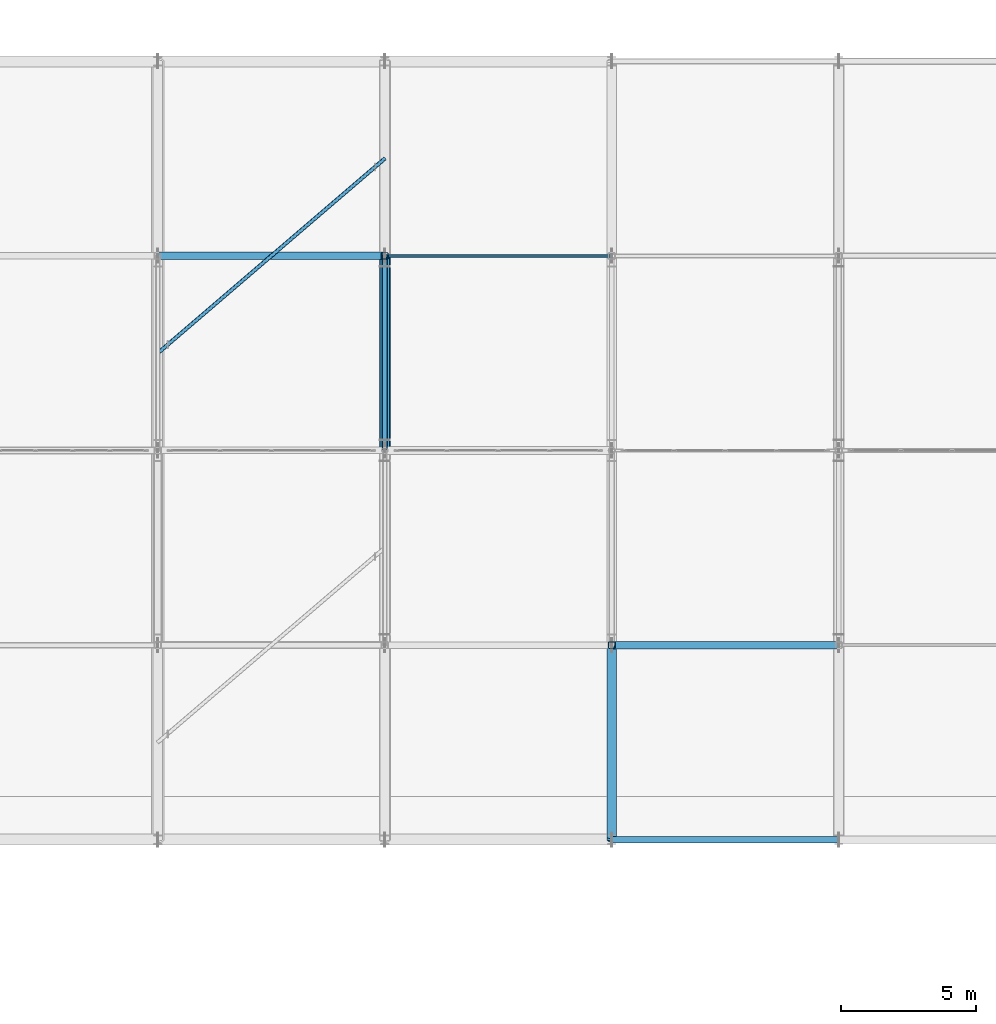
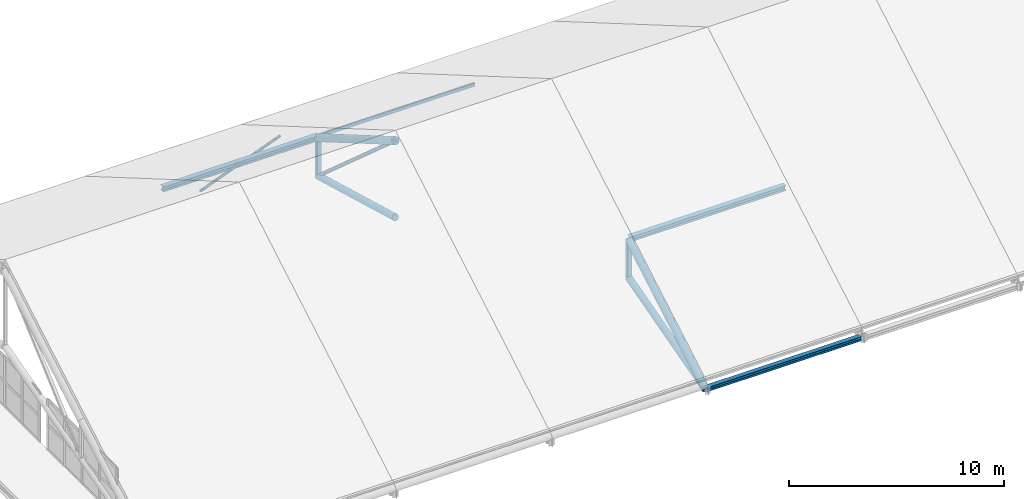
# One storey, part 11 of 54: 12 members.
"""IFC4 building model written with IfcOpenShell, lengths in metres."""

from ifc_helpers import new_model, si_unit, direction, frame, origin, origin_2d, place, context, subcontext, project, spatial, hollow_rectangle, hollow_circle, i_section, extrude, material, material_profile, profile_set, type_object, element, save


model = new_model("IFC4")

# Units and contexts
model_context = context("Model", 3, precision=1e-05, world=origin(), true_north=direction((0.0, 1.0)))
body_context = subcontext(model_context, "Body", "Model", "MODEL_VIEW")
ifc_project = project(units=[si_unit("LENGTHUNIT", "METRE"), si_unit("AREAUNIT", "SQUARE_METRE"), si_unit("VOLUMEUNIT", "CUBIC_METRE"), si_unit("PLANEANGLEUNIT", "RADIAN"), si_unit("MASSUNIT", "GRAM", prefix="KILO")], contexts=[model_context])

# Site, building, storey
site_placement = place(None, origin())
site = spatial("IfcSite", under=ifc_project, at=site_placement, CompositionType="ELEMENT")
building_placement = place(site_placement, origin())
building = spatial("IfcBuilding", under=site, at=building_placement, Name="Zulmaris Art Gallery", CompositionType="ELEMENT")
storey_placement = place(building_placement, frame((0.0, 0.0, 26.39990234375)))
storey = spatial("IfcBuildingStorey", under=building, at=storey_placement, Name="L05", CompositionType="ELEMENT", Elevation=26.39990234375)

# Members
ifc_material_1 = material(Name="Steel S355J2H", Category="steel")
ifc_material_profile_1 = material_profile(ifc_material_1, hollow_circle(Radius=0.06982421875, WallThickness=0.008056640625, at=origin_2d()), Name="CHS 139.7x8")
ifc_profile_set_1 = profile_set([ifc_material_profile_1], Name="Steel S355J2H")
member_type_1 = type_object("IfcMemberType", Name="MEM-BR01", PredefinedType="BRACE", material=ifc_profile_set_1)
member_1_placement = place(storey_placement, frame((24.0, 39.60009765625, 5.72021484375), z_axis=(0.709821706751, 0.608421553037, -0.354931484129), x_axis=(-0.650793190779, 0.759255044656, 0.0)))
element("IfcMember", 1, at=member_1_placement, inside=storey, type_object=member_type_1, Name="Roof wind collector brace 3A", PredefinedType="BRACE", context=body_context, shape_type="SweptSolid", body=[
    extrude(hollow_circle(Radius=0.06982421875, WallThickness=0.008056640625, at=origin_2d()), origin(), (0.0, 0.0, 1.0), 11.833740234375),
])
ifc_material_profile_2 = material_profile(ifc_material_1, hollow_rectangle(XDim=0.10009765625, YDim=0.199951171875, WallThickness=0.008056640625, InnerFilletRadius=0.011962890625, OuterFilletRadius=0.02001953125, at=origin_2d()), Name="RHS 200x100x8")
ifc_profile_set_2 = profile_set([ifc_material_profile_2], Name="Steel S355J2H")
member_type_2 = type_object("IfcMemberType", Name="MEM-PR01", PredefinedType="PURLIN", material=ifc_profile_set_2)
member_2_placement = place(storey_placement, frame((32.39990234375, 43.199951171875, 3.72021484375), z_axis=(1.0, 0.0, 0.0), x_axis=(0.0, 1.0, 0.0)))
element("IfcMember", 2, at=member_2_placement, inside=storey, type_object=member_type_2, Name="Skylight roof purlin bay 4 line 4", PredefinedType="PURLIN", context=body_context, shape_type="SweptSolid", body=[
    extrude(hollow_rectangle(XDim=0.10009765625, YDim=0.199951171875, WallThickness=0.008056640625, InnerFilletRadius=0.011962890625, OuterFilletRadius=0.02001953125, at=origin_2d()), origin(), (0.0, 0.0, 1.0), 8.400146484375),
])
ifc_material_2 = material(Name="Steel S355J2", Category="steel")
ifc_material_profile_3 = material_profile(ifc_material_2, i_section(OverallWidth=0.239990234375, OverallDepth=0.239990234375, WebThickness=0.010009765625, FlangeThickness=0.01708984375, FilletRadius=0.02099609375, at=origin_2d()), Name="HEB 240")
ifc_profile_set_3 = profile_set([ifc_material_profile_3], Name="Steel S355J2")
member_type_3 = type_object("IfcMemberType", Name="MEM-PR05", PredefinedType="PURLIN", material=ifc_profile_set_3)
member_3_placement = place(storey_placement, frame((40.800048828125, 21.60009765625, -0.5), z_axis=(1.0, 0.0, 0.0), x_axis=(0.0, 1.0, 0.0)))
element("IfcMember", 3, at=member_3_placement, inside=storey, type_object=member_type_3, Name="Skylight roof purlin bay 5 line 1", PredefinedType="PURLIN", context=body_context, shape_type="SweptSolid", body=[
    extrude(i_section(OverallWidth=0.239990234375, OverallDepth=0.239990234375, WebThickness=0.010009765625, FlangeThickness=0.01708984375, FilletRadius=0.02099609375, at=origin_2d()), origin(), (0.0, 0.0, 1.0), 8.39990234375),
])
ifc_material_profile_4 = material_profile(ifc_material_2, i_section(OverallWidth=0.280029296875, OverallDepth=0.280029296875, WebThickness=0.010498046875, FlangeThickness=0.01806640625, FilletRadius=0.02392578125, at=origin_2d()), Name="HEB 280")
ifc_profile_set_4 = profile_set([ifc_material_profile_4], Name="Steel S355J2")
member_type_4 = type_object("IfcMemberType", Name="MEM-PR06", PredefinedType="PURLIN", material=ifc_profile_set_4)
for number, where, z_axis, x_axis, name in (
    (4, (24.0, 43.199951171875, 3.68017578125), (1.0, 0.0, 0.0), (0.0, 1.0, 0.0), "Skylight roof purlin bay 3 line 4"),
    (5, (40.800048828125, 28.800048828125, 3.68017578125), (1.0, 0.0, 0.0), (0.0, 1.0, 0.0), "Skylight roof purlin bay 5 line 2"),
):
    element("IfcMember", number, at=place(storey_placement, frame(where, z_axis=z_axis, x_axis=x_axis)), inside=storey, type_object=member_type_4, Name=name, PredefinedType="PURLIN", context=body_context, shape_type="SweptSolid", body=[
        extrude(i_section(OverallWidth=0.280029296875, OverallDepth=0.280029296875, WebThickness=0.010498046875, FlangeThickness=0.01806640625, FilletRadius=0.02392578125, at=origin_2d()), origin(), (0.0, 0.0, 1.0), 8.39990234375),
    ])
ifc_material_profile_5 = material_profile(ifc_material_1, hollow_circle(Radius=0.096923828125, WallThickness=0.010009765625, at=origin_2d()), Name="CHS 193.7x10")
ifc_profile_set_5 = profile_set([ifc_material_profile_5], Name="Steel S355J2H")
member_type_5 = type_object("IfcMemberType", Name="MEM-TB02", PredefinedType="BRACE", material=ifc_profile_set_5)
member_4_placement = place(storey_placement, frame((32.39990234375, 36.0, 7.820068359375), z_axis=(0.0, 0.748961175261, -0.662613883006), x_axis=(-1.0, 0.0, 0.0)))
element("IfcMember", 6, at=member_4_placement, inside=storey, type_object=member_type_5, Name="Pitched gallery truss TR-R04 diagonal 3", PredefinedType="BRACE", context=body_context, shape_type="SweptSolid", body=[
    extrude(hollow_circle(Radius=0.096923828125, WallThickness=0.010009765625, at=origin_2d()), origin(), (0.0, 0.0, 1.0), 9.61328125),
])
ifc_material_profile_6 = material_profile(ifc_material_1, hollow_circle(Radius=0.177734375, WallThickness=0.01611328125, at=origin_2d()), Name="CHS 355.6x16")
ifc_profile_set_6 = profile_set([ifc_material_profile_6], Name="Steel S355J2H")
member_type_6 = type_object("IfcMemberType", Name="MEM-TC01", PredefinedType="CHORD", material=ifc_profile_set_6)
member_5_placement = place(storey_placement, frame((32.39990234375, 36.0, 3.4501953125), z_axis=(0.0, 0.963517441554, -0.267645548853), x_axis=(-1.0, 0.0, 0.0)))
element("IfcMember", 7, at=member_5_placement, inside=storey, type_object=member_type_6, Name="Pitched gallery truss TR-R04 bottom chord 3", PredefinedType="CHORD", context=body_context, shape_type="SweptSolid", body=[
    extrude(hollow_circle(Radius=0.177734375, WallThickness=0.01611328125, at=origin_2d()), origin(), (0.0, 0.0, 1.0), 7.47265625),
])
member_6_placement = place(storey_placement, frame((40.800048828125, 21.60009765625, -0.579833984375), z_axis=(0.0, 0.863779963214, 0.503869204407), x_axis=(-1.0, 0.0, 0.0)))
element("IfcMember", 8, at=member_6_placement, inside=storey, type_object=member_type_6, Name="Pitched gallery truss TR-R05 top chord 1", PredefinedType="CHORD", context=body_context, shape_type="SweptSolid", body=[
    extrude(hollow_circle(Radius=0.177734375, WallThickness=0.01611328125, at=origin_2d()), origin(), (0.0, 0.0, 1.0), 8.33544921875),
])
member_7_placement = place(storey_placement, frame((40.800048828125, 21.60009765625, -0.5498046875), z_axis=(0.0, 0.963517441554, 0.267645548853), x_axis=(-1.0, 0.0, 0.0)))
element("IfcMember", 9, at=member_7_placement, inside=storey, type_object=member_type_6, Name="Pitched gallery truss TR-R05 bottom chord 1", PredefinedType="CHORD", context=body_context, shape_type="SweptSolid", body=[
    extrude(hollow_circle(Radius=0.177734375, WallThickness=0.01611328125, at=origin_2d()), origin(), (0.0, 0.0, 1.0), 7.47265625),
])
ifc_material_profile_7 = material_profile(ifc_material_1, hollow_circle(Radius=0.203125, WallThickness=0.01611328125, at=origin_2d()), Name="CHS 406.4x16")
ifc_profile_set_7 = profile_set([ifc_material_profile_7], Name="Steel S355J2H")
member_type_7 = type_object("IfcMemberType", Name="MEM-TC02", PredefinedType="CHORD", material=ifc_profile_set_7)
member_8_placement = place(storey_placement, frame((32.39990234375, 36.0, 7.820068359375), z_axis=(0.0, 0.863779963214, -0.503869204407), x_axis=(-1.0, 0.0, 0.0)))
element("IfcMember", 10, at=member_8_placement, inside=storey, type_object=member_type_7, Name="Pitched gallery truss TR-R04 top chord 3", PredefinedType="CHORD", context=body_context, shape_type="SweptSolid", body=[
    extrude(hollow_circle(Radius=0.203125, WallThickness=0.01611328125, at=origin_2d()), origin(), (0.0, 0.0, 1.0), 8.33544921875),
])
ifc_material_profile_8 = material_profile(ifc_material_1, hollow_rectangle(XDim=0.25, YDim=0.25, WallThickness=0.012451171875, InnerFilletRadius=0.018798828125, OuterFilletRadius=0.03125, at=origin_2d()), Name="SHS 250x250x12.5")
ifc_profile_set_8 = profile_set([ifc_material_profile_8], Name="Steel S355J2H")
member_type_8 = type_object("IfcMemberType", Name="MEM-TP05", PredefinedType="POST", material=ifc_profile_set_8)
for number, where, z_axis, x_axis, name in (
    (11, (32.39990234375, 43.199951171875, 1.4501953125), (0.0, 0.0, 1.0), (1.0, 0.0, 0.0), "Pitched gallery truss TR-R04 web post 4"),
    (12, (40.800048828125, 28.800048828125, 1.4501953125), (0.0, 0.0, 1.0), (1.0, 0.0, 0.0), "Pitched gallery truss TR-R05 web post 2"),
):
    element("IfcMember", number, at=place(storey_placement, frame(where, z_axis=z_axis, x_axis=x_axis)), inside=storey, type_object=member_type_8, Name=name, PredefinedType="POST", context=body_context, shape_type="SweptSolid", body=[
        extrude(hollow_rectangle(XDim=0.25, YDim=0.25, WallThickness=0.012451171875, InnerFilletRadius=0.018798828125, OuterFilletRadius=0.03125, at=origin_2d()), origin(), (0.0, 0.0, 1.0), 2.169921875),
    ])

save(model, "model.ifc")
